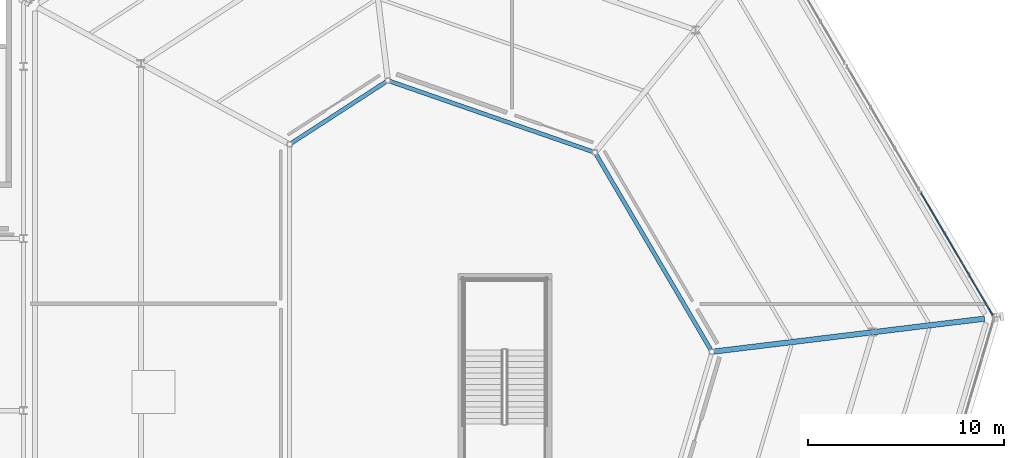
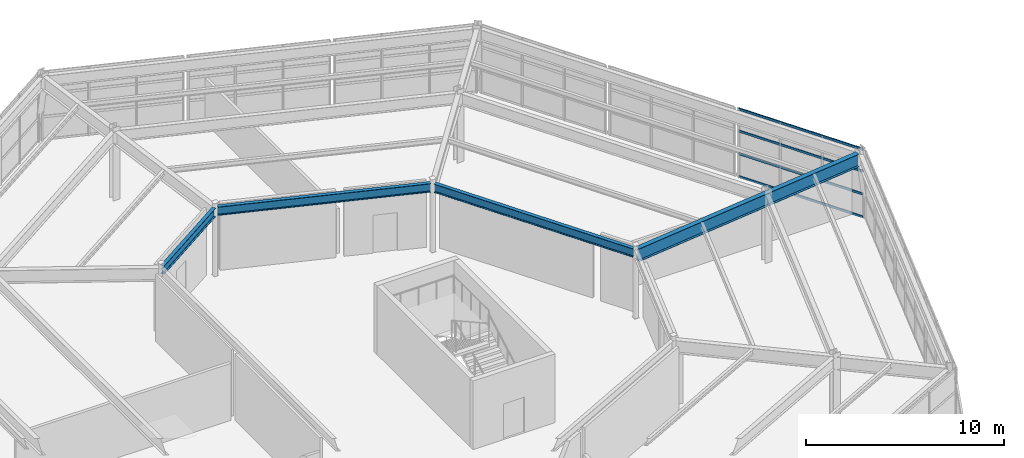
# One storey, part 43 of 77: 4 beams, 4 members, 1 element without a shape of its own.
"""IFC4 building model written with IfcOpenShell, lengths in metres."""

from ifc_helpers import new_model, si_unit, direction, frame, origin, origin_2d, place, context, subcontext, project, spatial, rectangle, i_section, extrude, material, material_profile, profile_set, type_object, element, aggregate, save


model = new_model("IFC4")

# Units and contexts
model_context = context("Model", 3, precision=1e-05, world=origin(), true_north=direction((0.0, 1.0)))
body_context = subcontext(model_context, "Body", "Model", "MODEL_VIEW")
ifc_project = project(units=[si_unit("LENGTHUNIT", "METRE"), si_unit("AREAUNIT", "SQUARE_METRE"), si_unit("VOLUMEUNIT", "CUBIC_METRE"), si_unit("PLANEANGLEUNIT", "RADIAN"), si_unit("MASSUNIT", "GRAM", prefix="KILO")], contexts=[model_context])

# Site, building, storey
site_placement = place(None, origin())
site = spatial("IfcSite", under=ifc_project, at=site_placement, CompositionType="ELEMENT")
building_placement = place(site_placement, origin())
building = spatial("IfcBuilding", under=site, at=building_placement, Name="Sarnbrook Museum", CompositionType="ELEMENT")
storey_placement = place(building_placement, frame((0.0, 0.0, 5.60009765625)))
storey = spatial("IfcBuildingStorey", under=building, at=storey_placement, Name="L01", CompositionType="ELEMENT", Elevation=5.60009765625)

# Beams
ifc_material_1 = material(Name="Structural Steel Grade 300PLUS (AS/NZS 3679.1, fy = 280 MPa for 17 < t <= 40 mm, 300 MPa for t <= 17 mm)", Category="steel")
ifc_material_profile_1 = material_profile(ifc_material_1, i_section(OverallWidth=0.208984375, OverallDepth=0.532958984375, WebThickness=0.01025390625, FlangeThickness=0.015625, FilletRadius=0.013916015625, at=origin_2d()), Name="530UB92.4")
ifc_profile_set_1 = profile_set([ifc_material_profile_1], Name="Structural Steel Grade 300PLUS (AS/NZS 3679.1, fy = 280 MPa for 17 < t <= 40 mm, 300 MPa for t <= 17 mm)")
beam_type_1 = type_object("IfcBeamType", Name="BM-UB530", PredefinedType="BEAM", material=ifc_profile_set_1)
beam_1_placement = place(storey_placement, frame((154.3212890625, 86.313720703125, 3.973388671875), z_axis=(-0.506064427748, 0.862495678231, 0.0), x_axis=(-0.862495678231, -0.506064427748, 0.0)))
element("IfcBeam", 1, at=beam_1_placement, inside=storey, type_object=beam_type_1, Name="Crystal Hall R2 Ring Girder 4 L01", PredefinedType="BEAM", context=body_context, shape_type="SweptSolid", body=[
    extrude(i_section(OverallWidth=0.208984375, OverallDepth=0.532958984375, WebThickness=0.01025390625, FlangeThickness=0.015625, FilletRadius=0.013916015625, at=origin_2d()), origin(), (0.0, 0.0, 1.0), 11.569580078125),
])
beam_2_placement = place(storey_placement, frame((148.292236328125, 96.435302734375, 3.973388671875), z_axis=(-0.944674814318, 0.328008376711, 0.0), x_axis=(-0.328008376711, -0.944674814318, 0.0)))
element("IfcBeam", 2, at=beam_2_placement, inside=storey, type_object=beam_type_1, Name="Crystal Hall R2 Ring Girder 5 L01", PredefinedType="BEAM", context=body_context, shape_type="SweptSolid", body=[
    extrude(i_section(OverallWidth=0.208984375, OverallDepth=0.532958984375, WebThickness=0.01025390625, FlangeThickness=0.015625, FilletRadius=0.013916015625, at=origin_2d()), origin(), (0.0, 0.0, 1.0), 10.962890625),
])
beam_3_placement = place(storey_placement, frame((137.7216796875, 100.00537109375, 3.973388671875), z_axis=(-0.838900474039, -0.544284846984, 0.0), x_axis=(0.544284846984, -0.838900474039, 0.0)))
element("IfcBeam", 3, at=beam_3_placement, inside=storey, type_object=beam_type_1, Name="Crystal Hall R2 Ring Girder 6 L01", PredefinedType="BEAM", context=body_context, shape_type="SweptSolid", body=[
    extrude(i_section(OverallWidth=0.208984375, OverallDepth=0.532958984375, WebThickness=0.01025390625, FlangeThickness=0.015625, FilletRadius=0.013916015625, at=origin_2d()), origin(), (0.0, 0.0, 1.0), 5.746826171875),
])
ifc_material_2 = material(Name="Structural Steel Grade 350L0 (AS/NZS 3678, fy = 340 MPa for 20 < t <= 40 mm)", Category="steel")
ifc_material_profile_2 = material_profile(ifc_material_2, i_section(OverallWidth=0.27490234375, OverallDepth=0.800048828125, WebThickness=0.010009765625, FlangeThickness=0.01611328125, at=origin_2d()), Name="800WB146")
ifc_profile_set_2 = profile_set([ifc_material_profile_2], Name="Structural Steel Grade 350L0 (AS/NZS 3678, fy = 340 MPa for 20 < t <= 40 mm)")
beam_type_2 = type_object("IfcBeamType", Name="CR-CANT", PredefinedType="BEAM", material=ifc_profile_set_2)
beam_4_placement = place(storey_placement, frame((154.501220703125, 86.224609375, 3.83984375), z_axis=(0.992687329876, 0.120713980568, 0.0), x_axis=(-0.120713980568, 0.992687329876, 0.0)))
element("IfcBeam", 4, at=beam_4_placement, inside=storey, type_object=beam_type_2, Name="Crystal Hall Radial Cantilever Girder 4 L01", PredefinedType="BEAM", context=body_context, shape_type="SweptSolid", body=[
    extrude(i_section(OverallWidth=0.27490234375, OverallDepth=0.800048828125, WebThickness=0.010009765625, FlangeThickness=0.01611328125, at=origin_2d()), origin(), (0.0, 0.0, 1.0), 13.91064453125),
])

# Curtain wall, members
ifc_material_3 = material(Name="Thermally Broken Anodised Aluminium 6063-T6", Category="aluminium")
curtain_wall_type = type_object("IfcCurtainWallType", Name="CurtainWall_CrystalFacet", PredefinedType="NOTDEFINED", material=ifc_material_3)
curtain_wall_placement = place(storey_placement, origin())
curtain_wall = element("IfcCurtainWall", 5, at=curtain_wall_placement, inside=storey, type_object=curtain_wall_type, Name="Crystal Hall Facet Curtain Wall L01-F4.1", PredefinedType="NOTDEFINED")
ifc_material_profile_3 = material_profile(ifc_material_3, rectangle(XDim=0.06494140625, YDim=0.139892578125, at=origin_2d()), Name="ALU TRANSOM 65x140")
ifc_profile_set_3 = profile_set([ifc_material_profile_3], Name="Thermally Broken Anodised Aluminium 6063-T6")
member_type = type_object("IfcMemberType", Name="CW_Transom_150x65", PredefinedType="USERDEFINED", material=ifc_profile_set_3)
member_1_placement = place(storey_placement, frame((168.732177734375, 88.075439453125, 0.039794921875), z_axis=(-0.506070802992, 0.862491937562, 0.0), x_axis=(-0.862491937562, -0.506070802992, 0.0)))
member_1 = element("IfcMember", 6, at=member_1_placement, type_object=member_type, Name="Crystal Hall Facet Curtain Wall L01-F4.1 Transom 1", ObjectType="TRANSOM", PredefinedType="USERDEFINED", context=body_context, shape_type="SweptSolid", body=[
    extrude(rectangle(XDim=0.06494140625, YDim=0.139892578125, at=origin_2d()), origin(), (0.0, 0.0, 1.0), 7.240234375),
])
member_2_placement = place(storey_placement, frame((168.732177734375, 88.075439453125, 1.449951171875), z_axis=(-0.506070802992, 0.862491937562, 0.0), x_axis=(-0.862491937562, -0.506070802992, 0.0)))
member_2 = element("IfcMember", 7, at=member_2_placement, type_object=member_type, Name="Crystal Hall Facet Curtain Wall L01-F4.1 Transom 2", ObjectType="TRANSOM", PredefinedType="USERDEFINED", context=body_context, shape_type="SweptSolid", body=[
    extrude(rectangle(XDim=0.06494140625, YDim=0.139892578125, at=origin_2d()), origin(), (0.0, 0.0, 1.0), 7.240234375),
])
member_3_placement = place(storey_placement, frame((168.732177734375, 88.075439453125, 2.849853515625), z_axis=(-0.506070802992, 0.862491937562, 0.0), x_axis=(-0.862491937562, -0.506070802992, 0.0)))
member_3 = element("IfcMember", 8, at=member_3_placement, type_object=member_type, Name="Crystal Hall Facet Curtain Wall L01-F4.1 Transom 3", ObjectType="TRANSOM", PredefinedType="USERDEFINED", context=body_context, shape_type="SweptSolid", body=[
    extrude(rectangle(XDim=0.06494140625, YDim=0.139892578125, at=origin_2d()), origin(), (0.0, 0.0, 1.0), 7.240234375),
])
member_4_placement = place(storey_placement, frame((168.732177734375, 88.075439453125, 4.199951171875), z_axis=(-0.506070802992, 0.862491937562, 0.0), x_axis=(-0.862491937562, -0.506070802992, 0.0)))
member_4 = element("IfcMember", 9, at=member_4_placement, type_object=member_type, Name="Crystal Hall Facet Curtain Wall L01-F4.1 Transom 4", ObjectType="TRANSOM", PredefinedType="USERDEFINED", context=body_context, shape_type="SweptSolid", body=[
    extrude(rectangle(XDim=0.06494140625, YDim=0.139892578125, at=origin_2d()), origin(), (0.0, 0.0, 1.0), 7.240234375),
])
aggregate(curtain_wall, [member_1, member_2, member_3, member_4])

save(model, "model.ifc")
